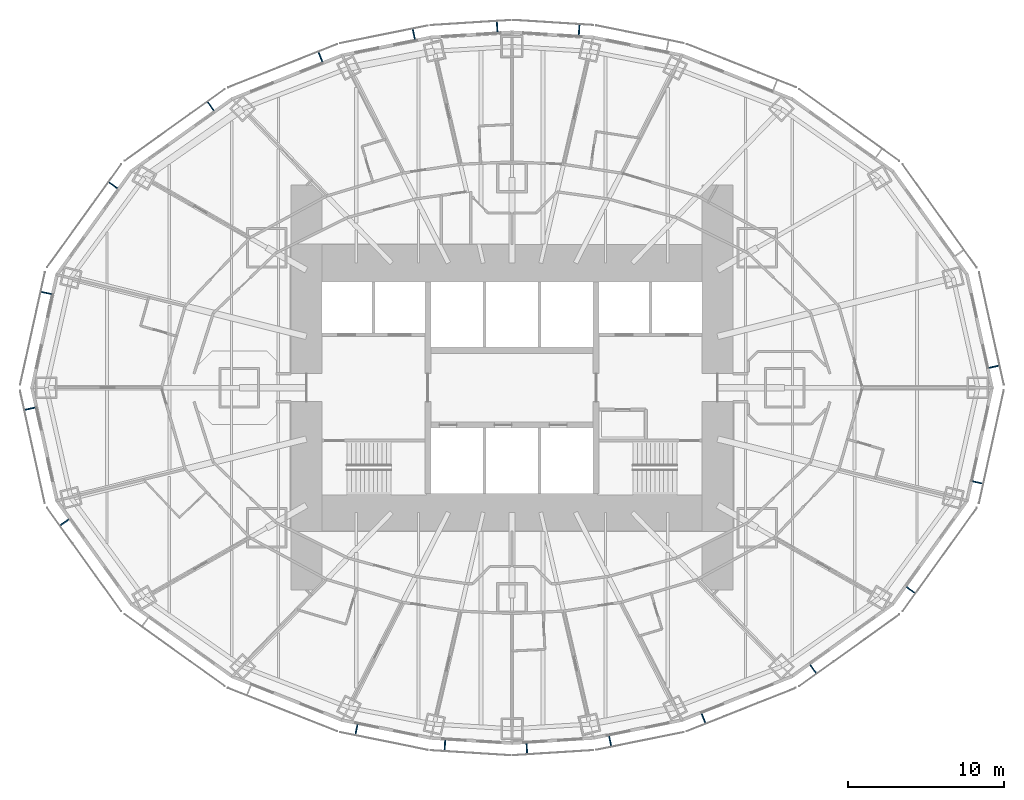
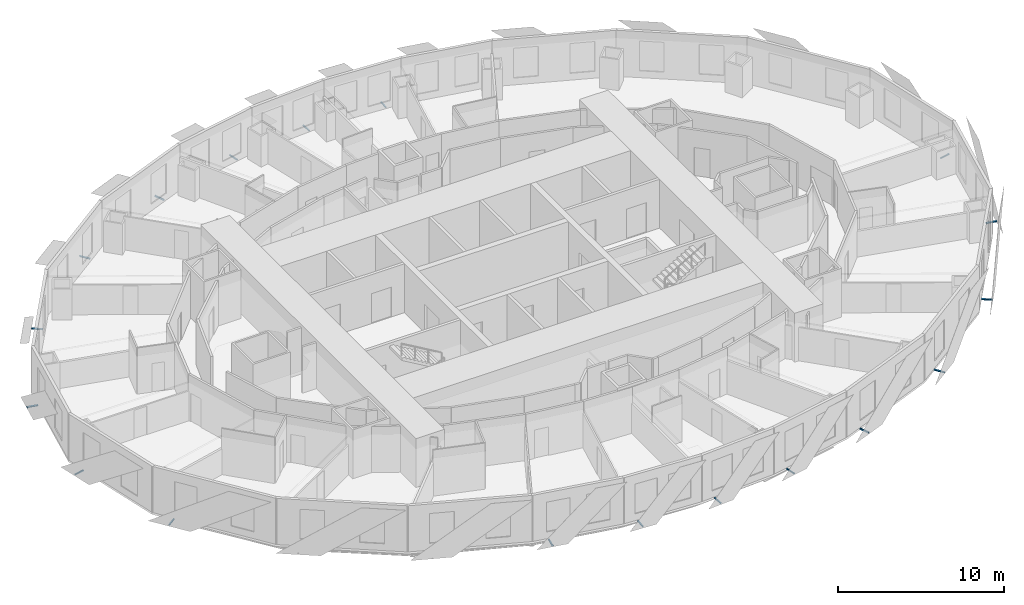
# One storey, part 11 of 15: 18 discrete accessories.
"""IFC4 building model written with IfcOpenShell, lengths in metres."""

import ifcopenshell
import ifcopenshell.guid

model = None  # the IFC model being written
_history = None  # IfcOwnerHistory: only IFC2X3 demands one
_inside = {}  # id of a spatial element -> (the spatial element, [elements in it])
_under = {}  # id of a project, library or spatial element -> (it, [spatial elements below it])
_declared = {}  # id of a project -> (the project, [libraries it declares])
_typed = {}  # id of a type object -> (the type object, [elements of that type])
_made_of = {}  # id of a material, layer set ... -> (it, [elements and type objects made of it])


def new_model(schema):
    """Start an empty IFC model of exactly this schema.

    Asked for "IFC4X3", IfcOpenShell would pick the latest addendum, in which some entities
    have other attributes; the version numbers below select the first issue.
    IFC2X3 requires an IfcOwnerHistory on every rooted entity: one is made here for all.
    """
    global model, _history
    if schema == "IFC4X3":
        model = ifcopenshell.file(schema_version=(4, 3, 0, 0))
    else:
        model = ifcopenshell.file(schema=schema)
    _inside.clear()
    _under.clear()
    _declared.clear()
    _typed.clear()
    _made_of.clear()
    _history = None
    if model.schema == "IFC2X3":
        org = make("IfcOrganization", Name="unknown")
        user = make(
            "IfcPersonAndOrganization",
            ThePerson=make("IfcPerson", FamilyName="unknown"),
            TheOrganization=org,
        )
        app = make(
            "IfcApplication",
            ApplicationDeveloper=org,
            Version="unknown",
            ApplicationFullName="unknown",
            ApplicationIdentifier="unknown",
        )
        _history = make(
            "IfcOwnerHistory",
            OwningUser=user,
            OwningApplication=app,
            ChangeAction="ADDED",
            CreationDate=0,
        )
    return model


def make(cls, **values):
    """One entity of the class cls with the attributes given. An attribute that is None is left unset."""
    return model.create_entity(
        cls, **{name: value for name, value in values.items() if value is not None}
    )


def rooted(cls, **values):
    """An entity with a GlobalId (a new one), such as an element, a storey or a relation."""
    return make(cls, GlobalId=ifcopenshell.guid.new(), OwnerHistory=_history, **values)


def si_unit(unit_type, name, prefix=None):
    """IfcSIUnit, for example si_unit("LENGTHUNIT", "METRE", prefix="MILLI")."""
    return make("IfcSIUnit", UnitType=unit_type, Prefix=prefix, Name=name)


def assignment(units):
    """IfcUnitAssignment: the units of a project."""
    return None if units is None else make("IfcUnitAssignment", Units=units)


def point(xyz):
    """IfcCartesianPoint."""
    return None if xyz is None else make("IfcCartesianPoint", Coordinates=xyz)


def direction(xyz):
    """IfcDirection."""
    return None if xyz is None else make("IfcDirection", DirectionRatios=xyz)


def frame(location, z_axis=None, x_axis=None):
    """IfcAxis2Placement3D, a coordinate frame: its origin and axes. An axis left out is left unset."""
    return make(
        "IfcAxis2Placement3D",
        Location=point(location),
        Axis=direction(z_axis),
        RefDirection=direction(x_axis),
    )


def frame_2d(location, x_axis=None):
    """IfcAxis2Placement2D, a coordinate frame in the plane: its origin and x axis."""
    return make(
        "IfcAxis2Placement2D", Location=point(location), RefDirection=direction(x_axis)
    )


def origin():
    """The frame at (0, 0, 0) with its axes left unset."""
    return frame((0.0, 0.0, 0.0))


def origin_2d():
    """The frame at (0, 0) in the plane with its x axis left unset."""
    return frame_2d((0.0, 0.0))


def place(relative_to, where):
    """IfcLocalPlacement: puts the frame where relative to a parent placement (None: the world)."""
    return make(
        "IfcLocalPlacement", PlacementRelTo=relative_to, RelativePlacement=where
    )


def context(
    kind, dimensions, precision=None, world=None, true_north=None, identifier=None
):
    """IfcGeometricRepresentationContext, for example the 3D "Model" context."""
    return make(
        "IfcGeometricRepresentationContext",
        ContextIdentifier=identifier,
        ContextType=kind,
        CoordinateSpaceDimension=dimensions,
        Precision=precision,
        WorldCoordinateSystem=world,
        TrueNorth=true_north,
    )


def subcontext(parent, identifier, kind, view, scale=None):
    """IfcGeometricRepresentationSubContext, for example "Body" below "Model"."""
    return make(
        "IfcGeometricRepresentationSubContext",
        ContextIdentifier=identifier,
        ContextType=kind,
        ParentContext=parent,
        TargetScale=scale,
        TargetView=view,
    )


def project(units=None, contexts=None):
    """IfcProject with its units and contexts."""
    return rooted(
        "IfcProject",
        Name="project",
        RepresentationContexts=contexts,
        UnitsInContext=assignment(units),
    )


def spatial(cls, under=None, at=None, **own):
    """A site, building, storey or space (cls), placed at a placement, below another one or the project."""
    s = rooted(cls, ObjectPlacement=at, **own)
    if under is not None:
        _under.setdefault(under.id(), (under, []))[1].append(s)
    return s


def profile(cls, at=None, kind="AREA", **sizes):
    """A parametric profile (cls). Its sizes go by their IFC names, for example OverallWidth=200.0."""
    return make(cls, ProfileType=kind, Position=at, **sizes)


def rectangle(**sizes):
    """IfcRectangleProfileDef."""
    return profile("IfcRectangleProfileDef", **sizes)


def extrude(swept, where, along, depth):
    """IfcExtrudedAreaSolid: the profile swept, set in the frame where, extruded along a direction by depth."""
    return make(
        "IfcExtrudedAreaSolid",
        SweptArea=swept,
        Position=where,
        ExtrudedDirection=direction(along),
        Depth=depth,
    )


def shape(context_of_items, identifier, shape_type, items):
    """IfcShapeRepresentation: the items that make up one representation, for example the "Body"."""
    return make(
        "IfcShapeRepresentation",
        ContextOfItems=context_of_items,
        RepresentationIdentifier=identifier,
        RepresentationType=shape_type,
        Items=items,
    )


def made_of(thing, what):
    """Note that an element or type object is made of a material, layer set ...; save() writes the relation."""
    if what is not None:
        _made_of.setdefault(what.id(), (what, []))[1].append(thing)
    return thing


def element(
    cls,
    number,
    at=None,
    inside=None,
    cuts=None,
    type_object=None,
    material=None,
    context=None,
    identifier="Body",
    shape_type=None,
    held_by="IfcProductDefinitionShape",
    body=None,
    shapes=None,
    **own,
):
    """One element of the class cls, such as IfcWall. Its Tag is "e" and its number.

    at: its placement. inside: the storey or other place that contains it. cuts: it is an
    opening in that element (IfcRelVoidsElement). A single representation is given by context,
    identifier, shape_type and body (its items); several are given by shapes. held_by: the class
    of the entity that holds the representations. save() writes the other relations.
    """
    e = rooted(cls, Tag="e%d" % number, ObjectPlacement=at, **own)
    if body is not None:
        shapes = [shape(context, identifier, shape_type, body)]
    if shapes is not None:
        e.Representation = make(held_by, Representations=shapes)
    if inside is not None:
        _inside.setdefault(inside.id(), (inside, []))[1].append(e)
    if cuts is not None:
        rooted(
            "IfcRelVoidsElement", RelatingBuildingElement=cuts, RelatedOpeningElement=e
        )
    if type_object is not None:
        _typed.setdefault(type_object.id(), (type_object, []))[1].append(e)
    return made_of(e, material)


def aggregate(whole, parts):
    """IfcRelAggregates: a whole, such as a stair, and the parts it consists of."""
    return rooted("IfcRelAggregates", RelatingObject=whole, RelatedObjects=parts)


def save(model, path):
    """Write the relations noted so far, then the file.

    IfcRelAggregates (storeys below a building ...), IfcRelContainedInSpatialStructure (elements
    in a storey), IfcRelDefinesByType, IfcRelAssociatesMaterial and IfcRelDeclares: one each for
    every whole, place, type object, material and project.
    """
    for whole, parts in _under.values():
        aggregate(whole, parts)
    for where, things in _inside.values():
        rooted(
            "IfcRelContainedInSpatialStructure",
            RelatedElements=things,
            RelatingStructure=where,
        )
    for kind, things in _typed.values():
        rooted("IfcRelDefinesByType", RelatedObjects=things, RelatingType=kind)
    for what, things in _made_of.values():
        rooted("IfcRelAssociatesMaterial", RelatedObjects=things, RelatingMaterial=what)
    for by, libraries in _declared.values():
        rooted("IfcRelDeclares", RelatingContext=by, RelatedDefinitions=libraries)
    model.write(path)


model = new_model("IFC4")

# Units and contexts
model_context = context("Model", 3, precision=1e-05, world=origin(), true_north=direction((0.0, 1.0)))
body_context = subcontext(model_context, "Body", "Model", "MODEL_VIEW")
ifc_project = project(units=[si_unit("LENGTHUNIT", "METRE"), si_unit("AREAUNIT", "SQUARE_METRE"), si_unit("VOLUMEUNIT", "CUBIC_METRE"), si_unit("PLANEANGLEUNIT", "RADIAN"), si_unit("MASSUNIT", "GRAM", prefix="KILO")], contexts=[model_context])

# Site, building, storey
site_placement = place(None, origin())
site = spatial("IfcSite", under=ifc_project, at=site_placement, CompositionType="ELEMENT")
building_placement = place(site_placement, origin())
building = spatial("IfcBuilding", under=site, at=building_placement, Name="Lantaw Convention Tower", CompositionType="ELEMENT")
storey_placement = place(building_placement, frame((0.0, 0.0, 101.800048828125)))
storey = spatial("IfcBuildingStorey", under=building, at=storey_placement, Name="L24", CompositionType="ELEMENT", Elevation=101.800048828125)

# Discrete accessories
for number, where, z_axis, x_axis, name in (
    (1, (30.967529296875, 1.35009765625, -0.114990234375), (0.0, 0.0, 1.0), (-0.215246056391, 0.976559847223, 0.0), "Screen bracket"),
    (2, (4.310302734375, 22.987548828125, -0.114990234375), (0.0, 0.0, 1.0), (-0.998016153807, 0.062958373078, 0.0), "Screen bracket"),
    (3, (-0.9560546875, 23.19921875, -0.114990234375), (0.0, 0.0, 1.0), (-0.998016153807, -0.062958373078, 0.0), "Screen bracket"),
    (4, (-6.307861328125, 22.71728515625, -0.114990234375), (0.0, 0.0, 1.0), (-0.980244604501, -0.197789067813, 0.0), "Screen bracket"),
    (5, (-12.309814453125, 21.25732421875, -0.114990234375), (0.0, 0.0, 1.0), (-0.929361152748, -0.369171840425, 0.0), "Screen bracket"),
    (6, (-19.352294921875, 18.085205078125, -0.114990234375), (0.0, 0.0, 1.0), (-0.812803733199, -0.5825376308, 0.0), "Screen bracket"),
    (7, (-25.61962890625, 13.004638671875, -0.114990234375), (0.0, 0.0, 1.0), (-0.583951250436, -0.811788726895, 0.0), "Screen bracket"),
    (8, (-29.92333984375, 6.087890625, -0.114990234375), (0.0, 0.0, 1.0), (-0.215246056391, -0.976559847223, 0.0), "Screen bracket"),
    (9, (-30.967529296875, -1.35009765625, -0.114990234375), (0.0, 0.0, 1.0), (0.215246056391, -0.976559847223, 0.0), "Screen bracket"),
    (10, (-28.745849609375, -8.65869140625, -0.114990234375), (0.0, 0.0, 1.0), (0.583951250436, -0.811788726895, 0.0), "Screen bracket"),
    (11, (-9.990478515625, -21.974365234375, -0.114990234375), (0.0, 0.0, 1.0), (0.980244604501, -0.197789067813, 0.0), "Screen bracket"),
    (12, (-4.310302734375, -22.987548828125, -0.114990234375), (0.0, 0.0, 1.0), (0.998016153807, -0.062958373078, 0.0), "Screen bracket"),
    (13, (0.9560546875, -23.19921875, -0.114990234375), (0.0, 0.0, 1.0), (0.998016153807, 0.062958373078, 0.0), "Screen bracket"),
    (14, (6.307861328125, -22.71728515625, -0.114990234375), (0.0, 0.0, 1.0), (0.980244604501, 0.197789067813, 0.0), "Screen bracket"),
    (15, (12.309814453125, -21.25732421875, -0.114990234375), (0.0, 0.0, 1.0), (0.929361152748, 0.369171840425, 0.0), "Screen bracket"),
    (16, (19.352294921875, -18.085205078125, -0.114990234375), (0.0, 0.0, 1.0), (0.812803733199, 0.5825376308, 0.0), "Screen bracket"),
    (17, (25.61962890625, -13.004638671875, -0.114990234375), (0.0, 0.0, 1.0), (0.583951250436, 0.811788726895, 0.0), "Screen bracket"),
    (18, (29.92333984375, -6.087890625, -0.114990234375), (0.0, 0.0, 1.0), (0.215246056391, 0.976559847223, 0.0), "Screen bracket"),
):
    element("IfcDiscreteAccessory", number, at=place(storey_placement, frame(where, z_axis=z_axis, x_axis=x_axis)), inside=storey, Name=name, PredefinedType="BRACKET", context=body_context, shape_type="SweptSolid", body=[
        extrude(rectangle(XDim=0.080078125, YDim=0.68798828125, at=origin_2d()), origin(), (0.0, 0.0, 1.0), 0.080078125),
    ])

save(model, "model.ifc")
